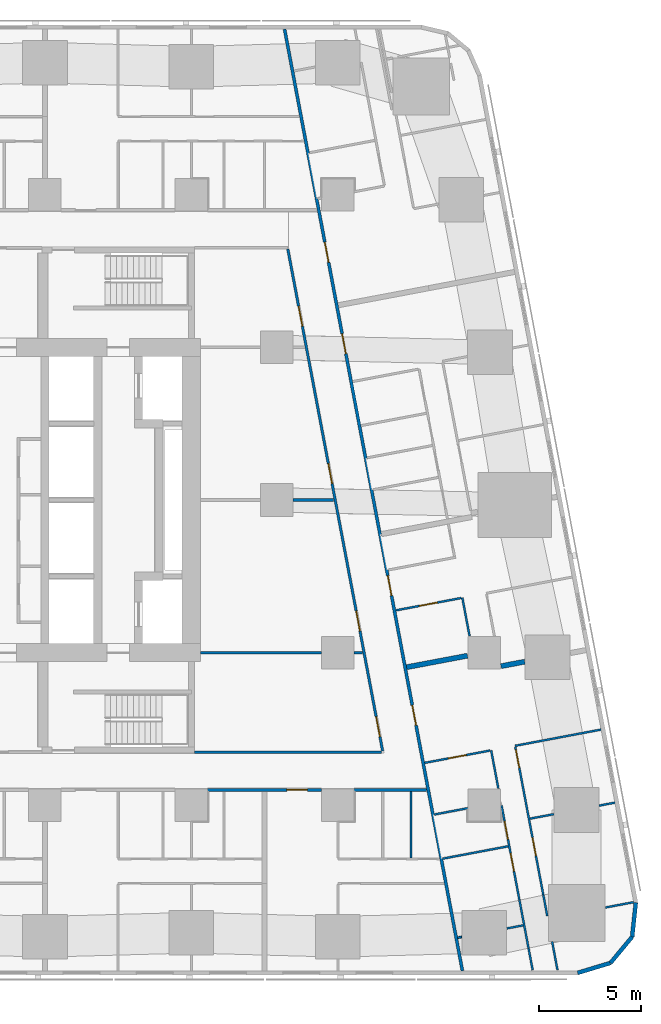
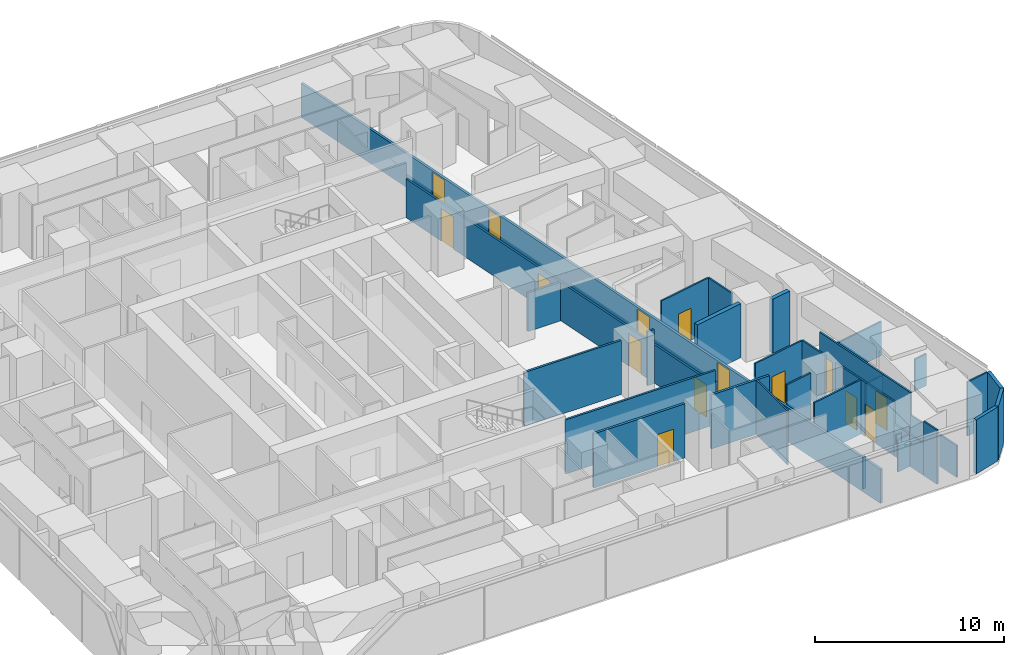
# One storey, part 6 of 15: 32 walls, 15 doors, 15 openings.
"""IFC4 building model written with IfcOpenShell, lengths in metres."""

from ifc_helpers import new_model, si_unit, direction, frame, frame_2d, origin, place, context, subcontext, project, spatial, rectangle, extrude, material, layer, layer_set, type_object, element, fill, save


model = new_model("IFC4")

# Units and contexts
model_context = context("Model", 3, precision=1e-05, world=origin(), true_north=direction((0.0, 1.0)))
body_context = subcontext(model_context, "Body", "Model", "MODEL_VIEW")
ifc_project = project(units=[si_unit("LENGTHUNIT", "METRE"), si_unit("AREAUNIT", "SQUARE_METRE"), si_unit("VOLUMEUNIT", "CUBIC_METRE"), si_unit("PLANEANGLEUNIT", "RADIAN"), si_unit("MASSUNIT", "GRAM", prefix="KILO")], contexts=[model_context])

# Site, building, storey
site_placement = place(None, origin())
site = spatial("IfcSite", under=ifc_project, at=site_placement, CompositionType="ELEMENT")
building_placement = place(site_placement, origin())
building = spatial("IfcBuilding", under=site, at=building_placement, Name="Sheger Commons Tower", CompositionType="ELEMENT")
storey_placement = place(building_placement, frame((0.0, 0.0, 104.14990234375)))
storey = spatial("IfcBuildingStorey", under=building, at=storey_placement, Name="L26", CompositionType="ELEMENT", Elevation=104.14990234375)

# Wall
ifc_material_1 = material(Name="Hollow concrete block masonry, skimmed both sides", Category="masonry")
ifc_layer_1 = layer(ifc_material_1, 0.14990234375)
ifc_layer_set_1 = layer_set([ifc_layer_1], Name="CORRIDOR WALL 150")
wall_type_1 = type_object("IfcWallType", Name="CORRIDOR WALL 150", PredefinedType="SOLIDWALL", material=ifc_layer_set_1)
wall_1_placement = place(storey_placement, frame((40.35595703125, 8.25, 0.0), z_axis=(0.0, 0.0, 1.0), x_axis=(-1.0, 0.0, 0.0)))
element("IfcWall", 1, at=wall_1_placement, inside=storey, type_object=wall_type_1, Name="Corridor wall L26", PredefinedType="SOLIDWALL", context=body_context, shape_type="SweptSolid", body=[
    extrude(rectangle(XDim=3.554931640625, YDim=0.14990234375, at=frame_2d((1.77734375, 0.0))), origin(), (0.0, 0.0, 1.0), 3.5),
])

# Wall, opening, door
wall_2_placement = place(storey_placement, frame((35.198974609375, 8.25, 0.0), z_axis=(0.0, 0.0, 1.0), x_axis=(-1.0, 0.0, 0.0)))
wall_2 = element("IfcWall", 2, at=wall_2_placement, inside=storey, type_object=wall_type_1, Name="Corridor wall L26", PredefinedType="SOLIDWALL", context=body_context, shape_type="SweptSolid", body=[
    extrude(rectangle(XDim=5.597900390625, YDim=0.14990234375, at=frame_2d((2.798828125, 0.0))), origin(), (0.0, 0.0, 1.0), 3.5),
])
opening_1_placement = place(wall_2_placement, frame((0.698974609375, 0.0, 0.0)))
opening_1 = element("IfcOpeningElement", 3, at=opening_1_placement, cuts=wall_2, Name="Opening D1", PredefinedType="OPENING", context=body_context, shape_type="SweptSolid", body=[
    extrude(rectangle(XDim=1.0, YDim=2.10009765625, at=frame_2d((0.5, 1.050048828125))), frame((0.0, 0.0849609375, 0.0), z_axis=(0.0, -1.0, 0.0), x_axis=(1.0, 0.0, 0.0)), (0.0, 0.0, 1.0), 0.169921875),
])
ifc_material_2 = material(Name="Steel door set, fire rated", Category="steel")
door_type_1 = type_object("IfcDoorType", Name="FLAT ENTRANCE DOOR 1000x2100", OperationType="NOTDEFINED", PredefinedType="DOOR", material=ifc_material_2)
door_1_placement = place(opening_1_placement, origin())
door_1 = element("IfcDoor", 4, at=door_1_placement, inside=storey, type_object=door_type_1, Name="Flat entrance door", OperationType="SINGLE_SWING_LEFT", OverallHeight=2.10009765625, OverallWidth=1.0, PredefinedType="DOOR", context=body_context, shape_type="SweptSolid", body=[
    extrude(rectangle(XDim=1.0, YDim=2.10009765625, at=frame_2d((0.5, 1.050048828125))), frame((0.0, 0.02490234375, 0.0), z_axis=(0.0, -1.0, 0.0), x_axis=(1.0, 0.0, 0.0)), (0.0, 0.0, 1.0), 0.050048828125),
])
fill(opening_1, door_1)

# Wall, openings, doors
wall_3_placement = place(storey_placement, frame((33.382080078125, 45.64990234375, 0.0), z_axis=(0.0, 0.0, 1.0), x_axis=(0.185593544777, -0.982626600565, 0.0)))
wall_3 = element("IfcWall", 5, at=wall_3_placement, inside=storey, type_object=wall_type_1, Name="Corridor wall L26", PredefinedType="SOLIDWALL", context=body_context, shape_type="SweptSolid", body=[
    extrude(rectangle(XDim=47.118408203125, YDim=0.14990234375, at=frame_2d((23.55908203125, 0.0))), origin(), (0.0, 0.0, 1.0), 2.2001953125),
])
opening_2_placement = place(wall_3_placement, frame((10.662109375, 0.0, 0.0)))
opening_2 = element("IfcOpeningElement", 6, at=opening_2_placement, cuts=wall_3, Name="Opening D1", PredefinedType="OPENING", context=body_context, shape_type="SweptSolid", body=[
    extrude(rectangle(XDim=1.0, YDim=2.10009765625, at=frame_2d((0.5, 1.050048828125))), frame((0.0, 0.0849609375, 0.0), z_axis=(0.0, -1.0, 0.0), x_axis=(1.0, 0.0, 0.0)), (0.0, 0.0, 1.0), 0.169921875),
])
opening_3_placement = place(wall_3_placement, frame((15.237060546875, 0.0, 0.0)))
opening_3 = element("IfcOpeningElement", 7, at=opening_3_placement, cuts=wall_3, Name="Opening D1", PredefinedType="OPENING", context=body_context, shape_type="SweptSolid", body=[
    extrude(rectangle(XDim=1.0, YDim=2.10009765625, at=frame_2d((0.5, 1.050048828125))), frame((0.0, 0.0849609375, 0.0), z_axis=(0.0, -1.0, 0.0), x_axis=(1.0, 0.0, 0.0)), (0.0, 0.0, 1.0), 0.169921875),
])
opening_4_placement = place(wall_3_placement, frame((27.341064453125, 0.0, 0.0)))
opening_4 = element("IfcOpeningElement", 8, at=opening_4_placement, cuts=wall_3, Name="Opening D1", PredefinedType="OPENING", context=body_context, shape_type="SweptSolid", body=[
    extrude(rectangle(XDim=1.0, YDim=2.10009765625, at=frame_2d((0.5, 1.050048828125))), frame((0.0, 0.0849609375, 0.0), z_axis=(0.0, -1.0, 0.0), x_axis=(1.0, 0.0, 0.0)), (0.0, 0.0, 1.0), 0.169921875),
])
opening_5_placement = place(wall_3_placement, frame((33.8330078125, 0.0, 0.0)))
opening_5 = element("IfcOpeningElement", 9, at=opening_5_placement, cuts=wall_3, Name="Opening D1", PredefinedType="OPENING", context=body_context, shape_type="SweptSolid", body=[
    extrude(rectangle(XDim=1.0, YDim=2.10009765625, at=frame_2d((0.5, 1.050048828125))), frame((0.0, 0.0849609375, 0.0), z_axis=(0.0, -1.0, 0.0), x_axis=(1.0, 0.0, 0.0)), (0.0, 0.0, 1.0), 0.169921875),
])
door_2_placement = place(opening_2_placement, origin())
door_2 = element("IfcDoor", 10, at=door_2_placement, inside=storey, type_object=door_type_1, Name="Flat entrance door", OperationType="SINGLE_SWING_RIGHT", OverallHeight=2.10009765625, OverallWidth=1.0, PredefinedType="DOOR", context=body_context, shape_type="SweptSolid", body=[
    extrude(rectangle(XDim=1.0, YDim=2.10009765625, at=frame_2d((0.5, 1.050048828125))), frame((0.0, 0.02490234375, 0.0), z_axis=(0.0, -1.0, 0.0), x_axis=(1.0, 0.0, 0.0)), (0.0, 0.0, 1.0), 0.050048828125),
])
fill(opening_2, door_2)
door_3_placement = place(opening_3_placement, origin())
door_3 = element("IfcDoor", 11, at=door_3_placement, inside=storey, type_object=door_type_1, Name="Flat entrance door", OperationType="SINGLE_SWING_LEFT", OverallHeight=2.10009765625, OverallWidth=1.0, PredefinedType="DOOR", context=body_context, shape_type="SweptSolid", body=[
    extrude(rectangle(XDim=1.0, YDim=2.10009765625, at=frame_2d((0.5, 1.050048828125))), frame((0.0, 0.02490234375, 0.0), z_axis=(0.0, -1.0, 0.0), x_axis=(1.0, 0.0, 0.0)), (0.0, 0.0, 1.0), 0.050048828125),
])
fill(opening_3, door_3)
door_4_placement = place(opening_4_placement, origin())
door_4 = element("IfcDoor", 12, at=door_4_placement, inside=storey, type_object=door_type_1, Name="Flat entrance door", OperationType="SINGLE_SWING_LEFT", OverallHeight=2.10009765625, OverallWidth=1.0, PredefinedType="DOOR", context=body_context, shape_type="SweptSolid", body=[
    extrude(rectangle(XDim=1.0, YDim=2.10009765625, at=frame_2d((0.5, 1.050048828125))), frame((0.0, 0.02490234375, 0.0), z_axis=(0.0, -1.0, 0.0), x_axis=(1.0, 0.0, 0.0)), (0.0, 0.0, 1.0), 0.050048828125),
])
fill(opening_4, door_4)
door_5_placement = place(opening_5_placement, origin())
door_5 = element("IfcDoor", 13, at=door_5_placement, inside=storey, type_object=door_type_1, Name="Flat entrance door", OperationType="SINGLE_SWING_LEFT", OverallHeight=2.10009765625, OverallWidth=1.0, PredefinedType="DOOR", context=body_context, shape_type="SweptSolid", body=[
    extrude(rectangle(XDim=1.0, YDim=2.10009765625, at=frame_2d((0.5, 1.050048828125))), frame((0.0, 0.02490234375, 0.0), z_axis=(0.0, -1.0, 0.0), x_axis=(1.0, 0.0, 0.0)), (0.0, 0.0, 1.0), 0.050048828125),
])
fill(opening_5, door_5)

# Walls
ifc_material_3 = material(Name="Dense concrete block masonry, plastered both sides (separating wall between flats)", Category="masonry")
ifc_layer_2 = layer(ifc_material_3, 0.25)
ifc_layer_set_2 = layer_set([ifc_layer_2], Name="DEMISING WALL 250")
wall_type_2 = type_object("IfcWallType", Name="DEMISING WALL 250", PredefinedType="SOLIDWALL", material=ifc_layer_set_2)
wall_4_placement = place(storey_placement, frame((45.18994140625, 14.550048828125, 0.0), z_axis=(0.0, 0.0, 1.0), x_axis=(-0.982666604435, -0.185381618634, 0.0)))
element("IfcWall", 14, at=wall_4_placement, inside=storey, type_object=wall_type_2, Name="Demising wall L26", PredefinedType="SOLIDWALL", context=body_context, shape_type="SweptSolid", body=[
    extrude(rectangle(XDim=1.1865234375, YDim=0.25, at=frame_2d((0.59326171875, 0.0))), origin(), (0.0, 0.0, 1.0), 3.5),
])
wall_5_placement = place(storey_placement, frame((42.3759765625, 14.843994140625, 0.0), z_axis=(0.0, 0.0, 1.0), x_axis=(-0.982636286056, -0.185542257522, 0.0)))
element("IfcWall", 15, at=wall_5_placement, inside=storey, type_object=wall_type_2, Name="Demising wall L26", PredefinedType="SOLIDWALL", context=body_context, shape_type="SweptSolid", body=[
    extrude(rectangle(XDim=3.044921875, YDim=0.25, at=frame_2d((1.5224609375, 0.0))), origin(), (0.0, 0.0, 1.0), 3.5),
])
ifc_material_4 = material(Name="Rendered concrete block masonry, dark grey", Category="masonry")
ifc_layer_3 = layer(ifc_material_4, 0.199951171875)
ifc_layer_set_3 = layer_set([ifc_layer_3], Name="FACADE WALL 200")
wall_type_3 = type_object("IfcWallType", Name="FACADE WALL 200", PredefinedType="SOLIDWALL", material=ifc_layer_set_3)
wall_6_placement = place(storey_placement, frame((47.791015625, -0.75, 0.0), z_axis=(0.0, 0.0, 1.0), x_axis=(0.957455232626, 0.288581838509, 0.0)))
element("IfcWall", 16, at=wall_6_placement, inside=storey, type_object=wall_type_3, Name="Facade wall L26", PredefinedType="SOLIDWALL", context=body_context, shape_type="SweptSolid", body=[
    extrude(rectangle(XDim=1.687744140625, YDim=0.199951171875, at=frame_2d((0.84375, 0.0))), origin(), (0.0, 0.0, 1.0), 3.5),
])
wall_7_placement = place(storey_placement, frame((49.406982421875, -0.262939453125, 0.0), z_axis=(0.0, 0.0, 1.0), x_axis=(0.638042593423, 0.770001070764, 0.0)))
element("IfcWall", 17, at=wall_7_placement, inside=storey, type_object=wall_type_3, Name="Facade wall L26", PredefinedType="SOLIDWALL", context=body_context, shape_type="SweptSolid", body=[
    extrude(rectangle(XDim=1.672607421875, YDim=0.199951171875, at=frame_2d((0.83642578125, 0.0))), origin(), (0.0, 0.0, 1.0), 3.5),
])
wall_8_placement = place(storey_placement, frame((50.47412109375, 1.02490234375, 0.0), z_axis=(0.0, 0.0, 1.0), x_axis=(0.106047815515, 0.994361031429, 0.0)))
element("IfcWall", 18, at=wall_8_placement, inside=storey, type_object=wall_type_3, Name="Facade wall L26", PredefinedType="SOLIDWALL", context=body_context, shape_type="SweptSolid", body=[
    extrude(rectangle(XDim=1.6875, YDim=0.199951171875, at=frame_2d((0.84375, 0.0))), origin(), (0.0, 0.0, 1.0), 3.5),
])
ifc_material_5 = material(Name="Gypsum board on steel studs", Category="steel")
ifc_layer_4 = layer(ifc_material_5, 0.10009765625)
ifc_layer_set_4 = layer_set([ifc_layer_4], Name="PARTITION 100")
wall_type_4 = type_object("IfcWallType", Name="PARTITION 100", PredefinedType="PARTITIONING", material=ifc_layer_set_4)
wall_9_placement = place(storey_placement, frame((39.60009765625, 4.89990234375, 0.0), z_axis=(0.0, 0.0, 1.0), x_axis=(0.0, 1.0, 0.0)))
element("IfcWall", 19, at=wall_9_placement, inside=storey, type_object=wall_type_4, Name="Partition L26", PredefinedType="PARTITIONING", context=body_context, shape_type="SweptSolid", body=[
    extrude(rectangle(XDim=3.275146484375, YDim=0.10009765625, at=frame_2d((1.6376953125, 0.0))), origin(), (0.0, 0.0, 1.0), 3.5),
])
wall_10_placement = place(storey_placement, frame((42.123046875, 17.69091796875, 0.0), z_axis=(0.0, 0.0, 1.0), x_axis=(0.185458984533, -0.982652006081, 0.0)))
element("IfcWall", 20, at=wall_10_placement, inside=storey, type_object=wall_type_4, Name="Partition L26", PredefinedType="PARTITIONING", context=body_context, shape_type="SweptSolid", body=[
    extrude(rectangle(XDim=1.9140625, YDim=0.10009765625, at=frame_2d((0.95703125, 0.0))), origin(), (0.0, 0.0, 1.0), 3.5),
])

# Wall, opening, door
wall_11_placement = place(storey_placement, frame((42.073974609375, 17.681884765625, 0.0), z_axis=(0.0, 0.0, 1.0), x_axis=(-0.982620626894, -0.185625169636, 0.0)))
wall_11 = element("IfcWall", 21, at=wall_11_placement, inside=storey, type_object=wall_type_4, Name="Partition L26", PredefinedType="PARTITIONING", context=body_context, shape_type="SweptSolid", body=[
    extrude(rectangle(XDim=3.27490234375, YDim=0.10009765625, at=frame_2d((1.637451171875, 0.0))), origin(), (0.0, 0.0, 1.0), 3.5),
])
opening_6_placement = place(wall_11_placement, frame((1.200927734375, 0.0, 0.0)))
opening_6 = element("IfcOpeningElement", 22, at=opening_6_placement, cuts=wall_11, Name="Opening D2", PredefinedType="OPENING", context=body_context, shape_type="SweptSolid", body=[
    extrude(rectangle(XDim=0.89990234375, YDim=2.10009765625, at=frame_2d((0.449951171875, 1.050048828125))), frame((0.0, 0.06005859375, 0.0), z_axis=(0.0, -1.0, 0.0), x_axis=(1.0, 0.0, 0.0)), (0.0, 0.0, 1.0), 0.1201171875),
])
ifc_material_6 = material(Name="Timber door set", Category="wood")
door_type_2 = type_object("IfcDoorType", Name="INTERNAL DOOR 900x2100", OperationType="NOTDEFINED", PredefinedType="DOOR", material=ifc_material_6)
door_6_placement = place(opening_6_placement, origin())
door_6 = element("IfcDoor", 23, at=door_6_placement, inside=storey, type_object=door_type_2, Name="Store door", OperationType="SINGLE_SWING_LEFT", OverallHeight=2.10009765625, OverallWidth=0.89990234375, PredefinedType="DOOR", context=body_context, shape_type="SweptSolid", body=[
    extrude(rectangle(XDim=0.89990234375, YDim=2.10009765625, at=frame_2d((0.449951171875, 1.050048828125))), frame((0.0, 0.02490234375, 0.0), z_axis=(0.0, -1.0, 0.0), x_axis=(1.0, 0.0, 0.0)), (0.0, 0.0, 1.0), 0.050048828125),
])
fill(opening_6, door_6)

# Wall, openings, doors
wall_12_placement = place(storey_placement, frame((44.72705078125, 10.365966796875, 0.0), z_axis=(0.0, 0.0, 1.0), x_axis=(0.185678775129, -0.982610498858, 0.0)))
wall_12 = element("IfcWall", 24, at=wall_12_placement, inside=storey, type_object=wall_type_4, Name="Partition L26", PredefinedType="PARTITIONING", context=body_context, shape_type="SweptSolid", body=[
    extrude(rectangle(XDim=7.421142578125, YDim=0.10009765625, at=frame_2d((3.71044921875, 0.0))), origin(), (0.0, 0.0, 1.0), 3.5),
])
opening_7_placement = place(wall_12_placement, frame((0.15087890625, 0.0, 0.0)))
opening_7 = element("IfcOpeningElement", 25, at=opening_7_placement, cuts=wall_12, Name="Opening D2", PredefinedType="OPENING", context=body_context, shape_type="SweptSolid", body=[
    extrude(rectangle(XDim=0.89990234375, YDim=2.10009765625, at=frame_2d((0.449951171875, 1.050048828125))), frame((0.0, 0.06005859375, 0.0), z_axis=(0.0, -1.0, 0.0), x_axis=(1.0, 0.0, 0.0)), (0.0, 0.0, 1.0), 0.1201171875),
])
opening_8_placement = place(wall_12_placement, frame((4.550048828125, 0.0, 0.0)))
opening_8 = element("IfcOpeningElement", 26, at=opening_8_placement, cuts=wall_12, Name="Opening D2", PredefinedType="OPENING", context=body_context, shape_type="SweptSolid", body=[
    extrude(rectangle(XDim=0.89990234375, YDim=2.10009765625, at=frame_2d((0.449951171875, 1.050048828125))), frame((0.0, 0.06005859375, 0.0), z_axis=(0.0, -1.0, 0.0), x_axis=(1.0, 0.0, 0.0)), (0.0, 0.0, 1.0), 0.1201171875),
])
door_7_placement = place(opening_7_placement, origin())
door_7 = element("IfcDoor", 27, at=door_7_placement, inside=storey, type_object=door_type_2, Name="Main bedroom door", OperationType="SINGLE_SWING_LEFT", OverallHeight=2.10009765625, OverallWidth=0.89990234375, PredefinedType="DOOR", context=body_context, shape_type="SweptSolid", body=[
    extrude(rectangle(XDim=0.89990234375, YDim=2.10009765625, at=frame_2d((0.449951171875, 1.050048828125))), frame((0.0, 0.02490234375, 0.0), z_axis=(0.0, -1.0, 0.0), x_axis=(1.0, 0.0, 0.0)), (0.0, 0.0, 1.0), 0.050048828125),
])
fill(opening_7, door_7)
door_8_placement = place(opening_8_placement, origin())
door_8 = element("IfcDoor", 28, at=door_8_placement, inside=storey, type_object=door_type_2, Name="Bedroom 2 door", OperationType="SINGLE_SWING_LEFT", OverallHeight=2.10009765625, OverallWidth=0.89990234375, PredefinedType="DOOR", context=body_context, shape_type="SweptSolid", body=[
    extrude(rectangle(XDim=0.89990234375, YDim=2.10009765625, at=frame_2d((0.449951171875, 1.050048828125))), frame((0.0, 0.02490234375, 0.0), z_axis=(0.0, -1.0, 0.0), x_axis=(1.0, 0.0, 0.0)), (0.0, 0.0, 1.0), 0.050048828125),
])
fill(opening_8, door_8)

# Walls
wall_13_placement = place(storey_placement, frame((46.10498046875, 3.073974609375, 0.0), z_axis=(0.0, 0.0, 1.0), x_axis=(0.185897769544, -0.982569091351, 0.0)))
element("IfcWall", 29, at=wall_13_placement, inside=storey, type_object=wall_type_4, Name="Partition L26", PredefinedType="PARTITIONING", context=body_context, shape_type="SweptSolid", body=[
    extrude(rectangle(XDim=1.044189453125, YDim=0.10009765625, at=frame_2d((0.52197265625, 0.0))), origin(), (0.0, 0.0, 1.0), 2.050048828125),
])
wall_14_placement = place(storey_placement, frame((46.537109375, 0.787109375, 0.0), z_axis=(0.0, 0.0, 1.0), x_axis=(0.185348284603, -0.982672892368, 0.0)))
element("IfcWall", 30, at=wall_14_placement, inside=storey, type_object=wall_type_4, Name="Partition L26", PredefinedType="PARTITIONING", context=body_context, shape_type="SweptSolid", body=[
    extrude(rectangle(XDim=1.418701171875, YDim=0.10009765625, at=frame_2d((0.70947265625, 0.0))), origin(), (0.0, 0.0, 1.0), 2.050048828125),
])
wall_15_placement = place(storey_placement, frame((43.5390625, 10.19189453125, 0.0), z_axis=(0.0, 0.0, 1.0), x_axis=(0.185366049966, -0.982669541362, 0.0)))
element("IfcWall", 31, at=wall_15_placement, inside=storey, type_object=wall_type_4, Name="Partition L26", PredefinedType="PARTITIONING", context=body_context, shape_type="SweptSolid", body=[
    extrude(rectangle(XDim=1.9150390625, YDim=0.10009765625, at=frame_2d((0.95751953125, 0.0))), origin(), (0.0, 0.0, 1.0), 3.5),
])

# Wall, openings, doors
wall_16_placement = place(storey_placement, frame((44.049072265625, 7.489990234375, 0.0), z_axis=(0.0, 0.0, 1.0), x_axis=(0.185666332607, -0.982612849975, 0.0)))
wall_16 = element("IfcWall", 32, at=wall_16_placement, inside=storey, type_object=wall_type_4, Name="Partition L26", PredefinedType="PARTITIONING", context=body_context, shape_type="SweptSolid", body=[
    extrude(rectangle(XDim=4.74951171875, YDim=0.10009765625, at=frame_2d((2.374755859375, 0.0))), origin(), (0.0, 0.0, 1.0), 3.5),
])
opening_9_placement = place(wall_16_placement, frame((0.800048828125, 0.0, 0.0)))
opening_9 = element("IfcOpeningElement", 33, at=opening_9_placement, cuts=wall_16, Name="Opening D2", PredefinedType="OPENING", context=body_context, shape_type="SweptSolid", body=[
    extrude(rectangle(XDim=0.89990234375, YDim=2.10009765625, at=frame_2d((0.449951171875, 1.050048828125))), frame((0.0, 0.06005859375, 0.0), z_axis=(0.0, -1.0, 0.0), x_axis=(1.0, 0.0, 0.0)), (0.0, 0.0, 1.0), 0.1201171875),
])
opening_10_placement = place(wall_16_placement, frame((2.39599609375, 0.0, 0.0)))
opening_10 = element("IfcOpeningElement", 34, at=opening_10_placement, cuts=wall_16, Name="Opening D2", PredefinedType="OPENING", context=body_context, shape_type="SweptSolid", body=[
    extrude(rectangle(XDim=0.89990234375, YDim=2.10009765625, at=frame_2d((0.449951171875, 1.050048828125))), frame((0.0, 0.06005859375, 0.0), z_axis=(0.0, -1.0, 0.0), x_axis=(1.0, 0.0, 0.0)), (0.0, 0.0, 1.0), 0.1201171875),
])
door_9_placement = place(opening_9_placement, origin())
door_9 = element("IfcDoor", 35, at=door_9_placement, inside=storey, type_object=door_type_2, Name="Bathroom door", OperationType="SINGLE_SWING_LEFT", OverallHeight=2.10009765625, OverallWidth=0.89990234375, PredefinedType="DOOR", context=body_context, shape_type="SweptSolid", body=[
    extrude(rectangle(XDim=0.89990234375, YDim=2.10009765625, at=frame_2d((0.449951171875, 1.050048828125))), frame((0.0, 0.02490234375, 0.0), z_axis=(0.0, -1.0, 0.0), x_axis=(1.0, 0.0, 0.0)), (0.0, 0.0, 1.0), 0.050048828125),
])
fill(opening_9, door_9)
door_10_placement = place(opening_10_placement, origin())
door_10 = element("IfcDoor", 36, at=door_10_placement, inside=storey, type_object=door_type_2, Name="Store door", OperationType="SINGLE_SWING_RIGHT", OverallHeight=2.10009765625, OverallWidth=0.89990234375, PredefinedType="DOOR", context=body_context, shape_type="SweptSolid", body=[
    extrude(rectangle(XDim=0.89990234375, YDim=2.10009765625, at=frame_2d((0.449951171875, 1.050048828125))), frame((0.0, 0.02490234375, 0.0), z_axis=(0.0, -1.0, 0.0), x_axis=(1.0, 0.0, 0.0)), (0.0, 0.0, 1.0), 0.050048828125),
])
fill(opening_10, door_10)

# Walls
wall_17_placement = place(storey_placement, frame((44.930908203125, 2.822998046875, 0.0), z_axis=(0.0, 0.0, 1.0), x_axis=(0.185631845838, -0.982619365681, 0.0)))
element("IfcWall", 37, at=wall_17_placement, inside=storey, type_object=wall_type_4, Name="Partition L26", PredefinedType="PARTITIONING", context=body_context, shape_type="SweptSolid", body=[
    extrude(rectangle(XDim=2.40283203125, YDim=0.10009765625, at=frame_2d((1.201416015625, 0.0))), origin(), (0.0, 0.0, 1.0), 2.050048828125),
])
wall_18_placement = place(storey_placement, frame((45.376953125, 0.4619140625, 0.0), z_axis=(0.0, 0.0, 1.0), x_axis=(0.185513480919, -0.982641719243, 0.0)))
element("IfcWall", 38, at=wall_18_placement, inside=storey, type_object=wall_type_4, Name="Partition L26", PredefinedType="PARTITIONING", context=body_context, shape_type="SweptSolid", body=[
    extrude(rectangle(XDim=1.094970703125, YDim=0.10009765625, at=frame_2d((0.54736328125, 0.0))), origin(), (0.0, 0.0, 1.0), 3.5),
])
wall_19_placement = place(storey_placement, frame((48.943115234375, 11.212890625, 0.0), z_axis=(0.0, 0.0, 1.0), x_axis=(-0.982633535512, -0.185556823879, 0.0)))
element("IfcWall", 39, at=wall_19_placement, inside=storey, type_object=wall_type_4, Name="Partition L26", PredefinedType="PARTITIONING", context=body_context, shape_type="SweptSolid", body=[
    extrude(rectangle(XDim=4.2998046875, YDim=0.10009765625, at=frame_2d((2.14990234375, 0.0))), origin(), (0.0, 0.0, 1.0), 2.2001953125),
])
wall_20_placement = place(storey_placement, frame((49.6220703125, 7.6201171875, 0.0), z_axis=(0.0, 0.0, 1.0), x_axis=(-0.982512656401, -0.186195810938, 0.0)))
element("IfcWall", 40, at=wall_20_placement, inside=storey, type_object=wall_type_4, Name="Partition L26", PredefinedType="PARTITIONING", context=body_context, shape_type="SweptSolid", body=[
    extrude(rectangle(XDim=0.7958984375, YDim=0.10009765625, at=frame_2d((0.39794921875, 0.0))), origin(), (0.0, 0.0, 1.0), 2.050048828125),
])
wall_21_placement = place(storey_placement, frame((46.6201171875, 7.052978515625, 0.0), z_axis=(0.0, 0.0, 1.0), x_axis=(-0.982749355621, -0.18494243436, 0.0)))
element("IfcWall", 41, at=wall_21_placement, inside=storey, type_object=wall_type_4, Name="Partition L26", PredefinedType="PARTITIONING", context=body_context, shape_type="SweptSolid", body=[
    extrude(rectangle(XDim=1.194580078125, YDim=0.10009765625, at=frame_2d((0.59716796875, 0.0))), origin(), (0.0, 0.0, 1.0), 2.050048828125),
])
wall_22_placement = place(storey_placement, frame((50.547119140625, 2.72607421875, 0.0), z_axis=(0.0, 0.0, 1.0), x_axis=(-0.982680053146, -0.185310315822, 0.0)))
element("IfcWall", 42, at=wall_22_placement, inside=storey, type_object=wall_type_4, Name="Partition L26", PredefinedType="PARTITIONING", context=body_context, shape_type="SweptSolid", body=[
    extrude(rectangle(XDim=1.41357421875, YDim=0.10009765625, at=frame_2d((0.706787109375, 0.0))), origin(), (0.0, 0.0, 1.0), 3.5),
])

# Wall, opening, door
wall_23_placement = place(storey_placement, frame((43.489990234375, 10.18310546875, 0.0), z_axis=(0.0, 0.0, 1.0), x_axis=(-0.982607026909, -0.185697147715, 0.0)))
wall_23 = element("IfcWall", 43, at=wall_23_placement, inside=storey, type_object=wall_type_4, Name="Partition L26", PredefinedType="PARTITIONING", context=body_context, shape_type="SweptSolid", body=[
    extrude(rectangle(XDim=3.27490234375, YDim=0.10009765625, at=frame_2d((1.637451171875, 0.0))), origin(), (0.0, 0.0, 1.0), 3.5),
])
opening_11_placement = place(wall_23_placement, frame((1.199951171875, 0.0, 0.0)))
opening_11 = element("IfcOpeningElement", 44, at=opening_11_placement, cuts=wall_23, Name="Opening D2", PredefinedType="OPENING", context=body_context, shape_type="SweptSolid", body=[
    extrude(rectangle(XDim=0.89990234375, YDim=2.10009765625, at=frame_2d((0.449951171875, 1.050048828125))), frame((0.0, 0.06005859375, 0.0), z_axis=(0.0, -1.0, 0.0), x_axis=(1.0, 0.0, 0.0)), (0.0, 0.0, 1.0), 0.1201171875),
])
door_11_placement = place(opening_11_placement, origin())
door_11 = element("IfcDoor", 45, at=door_11_placement, inside=storey, type_object=door_type_2, Name="Store door", OperationType="SINGLE_SWING_LEFT", OverallHeight=2.10009765625, OverallWidth=0.89990234375, PredefinedType="DOOR", context=body_context, shape_type="SweptSolid", body=[
    extrude(rectangle(XDim=0.89990234375, YDim=2.10009765625, at=frame_2d((0.449951171875, 1.050048828125))), frame((0.0, 0.02490234375, 0.0), z_axis=(0.0, -1.0, 0.0), x_axis=(1.0, 0.0, 0.0)), (0.0, 0.0, 1.0), 0.050048828125),
])
fill(opening_11, door_11)

# Walls
wall_24_placement = place(storey_placement, frame((42.389892578125, 7.347900390625, 0.0), z_axis=(0.0, 0.0, 1.0), x_axis=(-0.9825976927, -0.185746532405, 0.0)))
element("IfcWall", 46, at=wall_24_placement, inside=storey, type_object=wall_type_4, Name="Partition L26", PredefinedType="PARTITIONING", context=body_context, shape_type="SweptSolid", body=[
    extrude(rectangle(XDim=1.66796875, YDim=0.10009765625, at=frame_2d((0.833984375, 0.0))), origin(), (0.0, 0.0, 1.0), 3.5),
])
wall_25_placement = place(storey_placement, frame((45.114013671875, 1.5869140625, 0.0), z_axis=(0.0, 0.0, 1.0), x_axis=(-0.982624706348, -0.185603573443, 0.0)))
element("IfcWall", 47, at=wall_25_placement, inside=storey, type_object=wall_type_4, Name="Partition L26", PredefinedType="PARTITIONING", context=body_context, shape_type="SweptSolid", body=[
    extrude(rectangle(XDim=0.818115234375, YDim=0.10009765625, at=frame_2d((0.4091796875, 0.0))), origin(), (0.0, 0.0, 1.0), 2.050048828125),
])
wall_26_placement = place(storey_placement, frame((42.090087890625, 1.01611328125, 0.0), z_axis=(0.0, 0.0, 1.0), x_axis=(-0.982208563973, -0.187793335502, 0.0)))
element("IfcWall", 48, at=wall_26_placement, inside=storey, type_object=wall_type_4, Name="Partition L26", PredefinedType="PARTITIONING", context=body_context, shape_type="SweptSolid", body=[
    extrude(rectangle(XDim=0.197509765625, YDim=0.10009765625, at=frame_2d((0.0986328125, 0.0))), origin(), (0.0, 0.0, 1.0), 2.050048828125),
])
wall_27_placement = place(storey_placement, frame((44.37890625, 5.47412109375, 0.0), z_axis=(0.0, 0.0, 1.0), x_axis=(-0.982607026909, -0.185697147715, 0.0)))
element("IfcWall", 49, at=wall_27_placement, inside=storey, type_object=wall_type_4, Name="Partition L26", PredefinedType="PARTITIONING", context=body_context, shape_type="SweptSolid", body=[
    extrude(rectangle(XDim=3.27490234375, YDim=0.10009765625, at=frame_2d((1.637451171875, 0.0))), origin(), (0.0, 0.0, 1.0), 3.5),
])
ifc_material_7 = material(Name="Gypsum board on steel studs, two layers each side, fire rated", Category="steel")
ifc_layer_5 = layer(ifc_material_7, 0.125)
ifc_layer_set_5 = layer_set([ifc_layer_5], Name="SERVICE WALL 125")
wall_type_5 = type_object("IfcWallType", Name="SERVICE WALL 125", PredefinedType="PARTITIONING", material=ifc_layer_set_5)
wall_28_placement = place(storey_placement, frame((28.949951171875, 10.10009765625, 0.0), z_axis=(0.0, 0.0, 1.0), x_axis=(1.0, 0.0, 0.0)))
element("IfcWall", 50, at=wall_28_placement, inside=storey, type_object=wall_type_5, Name="Service room wall L26", PredefinedType="PARTITIONING", context=body_context, shape_type="SweptSolid", body=[
    extrude(rectangle(XDim=9.18798828125, YDim=0.125, at=frame_2d((4.593994140625, 0.0))), origin(), (0.0, 0.0, 1.0), 3.5),
])

# Wall, openings, doors
wall_29_placement = place(storey_placement, frame((38.201904296875, 10.1630859375, 0.0), z_axis=(0.0, 0.0, 1.0), x_axis=(-0.185610321132, 0.982623431783, 0.0)))
wall_29 = element("IfcWall", 51, at=wall_29_placement, inside=storey, type_object=wall_type_5, Name="Service room wall L26", PredefinedType="PARTITIONING", context=body_context, shape_type="SweptSolid", body=[
    extrude(rectangle(XDim=25.111083984375, YDim=0.125, at=frame_2d((12.5556640625, 0.0))), origin(), (0.0, 0.0, 1.0), 2.5),
])
opening_12_placement = place(wall_29_placement, frame((0.7080078125, 0.0, 0.0)))
opening_12 = element("IfcOpeningElement", 52, at=opening_12_placement, cuts=wall_29, Name="Opening D4", PredefinedType="OPENING", context=body_context, shape_type="SweptSolid", body=[
    extrude(rectangle(XDim=1.0, YDim=2.10009765625, at=frame_2d((0.5, 1.050048828125))), frame((0.0, 0.072509765625, 0.0), z_axis=(0.0, -1.0, 0.0), x_axis=(1.0, 0.0, 0.0)), (0.0, 0.0, 1.0), 0.14501953125),
])
opening_13_placement = place(wall_29_placement, frame((6.0, 0.0, 0.0)))
opening_13 = element("IfcOpeningElement", 53, at=opening_13_placement, cuts=wall_29, Name="Opening D4", PredefinedType="OPENING", context=body_context, shape_type="SweptSolid", body=[
    extrude(rectangle(XDim=1.0, YDim=2.10009765625, at=frame_2d((0.5, 1.050048828125))), frame((0.0, 0.072509765625, 0.0), z_axis=(0.0, -1.0, 0.0), x_axis=(1.0, 0.0, 0.0)), (0.0, 0.0, 1.0), 0.14501953125),
])
opening_14_placement = place(wall_29_placement, frame((13.3779296875, 0.0, 0.0)))
opening_14 = element("IfcOpeningElement", 54, at=opening_14_placement, cuts=wall_29, Name="Opening D4", PredefinedType="OPENING", context=body_context, shape_type="SweptSolid", body=[
    extrude(rectangle(XDim=1.0, YDim=2.10009765625, at=frame_2d((0.5, 1.050048828125))), frame((0.0, 0.072509765625, 0.0), z_axis=(0.0, -1.0, 0.0), x_axis=(1.0, 0.0, 0.0)), (0.0, 0.0, 1.0), 0.14501953125),
])
opening_15_placement = place(wall_29_placement, frame((21.25, 0.0, 0.0)))
opening_15 = element("IfcOpeningElement", 55, at=opening_15_placement, cuts=wall_29, Name="Opening D4", PredefinedType="OPENING", context=body_context, shape_type="SweptSolid", body=[
    extrude(rectangle(XDim=1.0, YDim=2.10009765625, at=frame_2d((0.5, 1.050048828125))), frame((0.0, 0.072509765625, 0.0), z_axis=(0.0, -1.0, 0.0), x_axis=(1.0, 0.0, 0.0)), (0.0, 0.0, 1.0), 0.14501953125),
])
ifc_material_8 = material(Name="Steel door set, fire rated", Category="steel")
door_type_3 = type_object("IfcDoorType", Name="SERVICE DOOR 1000x2100", OperationType="NOTDEFINED", PredefinedType="DOOR", material=ifc_material_8)
door_12_placement = place(opening_12_placement, origin())
door_12 = element("IfcDoor", 56, at=door_12_placement, inside=storey, type_object=door_type_3, Name="Residents' study room door", OperationType="SINGLE_SWING_LEFT", OverallHeight=2.10009765625, OverallWidth=1.0, PredefinedType="DOOR", context=body_context, shape_type="SweptSolid", body=[
    extrude(rectangle(XDim=1.0, YDim=2.10009765625, at=frame_2d((0.5, 1.050048828125))), frame((0.0, 0.02490234375, 0.0), z_axis=(0.0, -1.0, 0.0), x_axis=(1.0, 0.0, 0.0)), (0.0, 0.0, 1.0), 0.050048828125),
])
fill(opening_12, door_12)
door_13_placement = place(opening_13_placement, origin())
door_13 = element("IfcDoor", 57, at=door_13_placement, inside=storey, type_object=door_type_3, Name="Bicycle and pram store door", OperationType="SINGLE_SWING_LEFT", OverallHeight=2.10009765625, OverallWidth=1.0, PredefinedType="DOOR", context=body_context, shape_type="SweptSolid", body=[
    extrude(rectangle(XDim=1.0, YDim=2.10009765625, at=frame_2d((0.5, 1.050048828125))), frame((0.0, 0.02490234375, 0.0), z_axis=(0.0, -1.0, 0.0), x_axis=(1.0, 0.0, 0.0)), (0.0, 0.0, 1.0), 0.050048828125),
])
fill(opening_13, door_13)
door_14_placement = place(opening_14_placement, origin())
door_14 = element("IfcDoor", 58, at=door_14_placement, inside=storey, type_object=door_type_3, Name="Residents' store door", OperationType="SINGLE_SWING_LEFT", OverallHeight=2.10009765625, OverallWidth=1.0, PredefinedType="DOOR", context=body_context, shape_type="SweptSolid", body=[
    extrude(rectangle(XDim=1.0, YDim=2.10009765625, at=frame_2d((0.5, 1.050048828125))), frame((0.0, 0.02490234375, 0.0), z_axis=(0.0, -1.0, 0.0), x_axis=(1.0, 0.0, 0.0)), (0.0, 0.0, 1.0), 0.050048828125),
])
fill(opening_14, door_14)
door_15_placement = place(opening_15_placement, origin())
door_15 = element("IfcDoor", 59, at=door_15_placement, inside=storey, type_object=door_type_3, Name="Residents' meeting room door", OperationType="SINGLE_SWING_LEFT", OverallHeight=2.10009765625, OverallWidth=1.0, PredefinedType="DOOR", context=body_context, shape_type="SweptSolid", body=[
    extrude(rectangle(XDim=1.0, YDim=2.10009765625, at=frame_2d((0.5, 1.050048828125))), frame((0.0, 0.02490234375, 0.0), z_axis=(0.0, -1.0, 0.0), x_axis=(1.0, 0.0, 0.0)), (0.0, 0.0, 1.0), 0.050048828125),
])
fill(opening_15, door_15)

# Walls
wall_30_placement = place(storey_placement, frame((29.25, 15.0, 0.0), z_axis=(0.0, 0.0, 1.0), x_axis=(1.0, 0.0, 0.0)))
element("IfcWall", 60, at=wall_30_placement, inside=storey, type_object=wall_type_5, Name="Service room wall L26", PredefinedType="PARTITIONING", context=body_context, shape_type="SweptSolid", body=[
    extrude(rectangle(XDim=5.948974609375, YDim=0.125, at=frame_2d((2.974609375, 0.0))), origin(), (0.0, 0.0, 1.0), 3.5),
])
wall_31_placement = place(storey_placement, frame((36.801025390625, 15.0, 0.0), z_axis=(0.0, 0.0, 1.0), x_axis=(1.0, 0.0, 0.0)))
element("IfcWall", 61, at=wall_31_placement, inside=storey, type_object=wall_type_5, Name="Service room wall L26", PredefinedType="PARTITIONING", context=body_context, shape_type="SweptSolid", body=[
    extrude(rectangle(XDim=0.411865234375, YDim=0.125, at=frame_2d((0.2060546875, 0.0))), origin(), (0.0, 0.0, 1.0), 3.5),
])
wall_32_placement = place(storey_placement, frame((33.801025390625, 22.5, 0.0), z_axis=(0.0, 0.0, 1.0), x_axis=(1.0, 0.0, 0.0)))
element("IfcWall", 62, at=wall_32_placement, inside=storey, type_object=wall_type_5, Name="Service room wall L26", PredefinedType="PARTITIONING", context=body_context, shape_type="SweptSolid", body=[
    extrude(rectangle(XDim=1.994873046875, YDim=0.125, at=frame_2d((0.99755859375, 0.0))), origin(), (0.0, 0.0, 1.0), 2.5),
])

save(model, "model.ifc")
